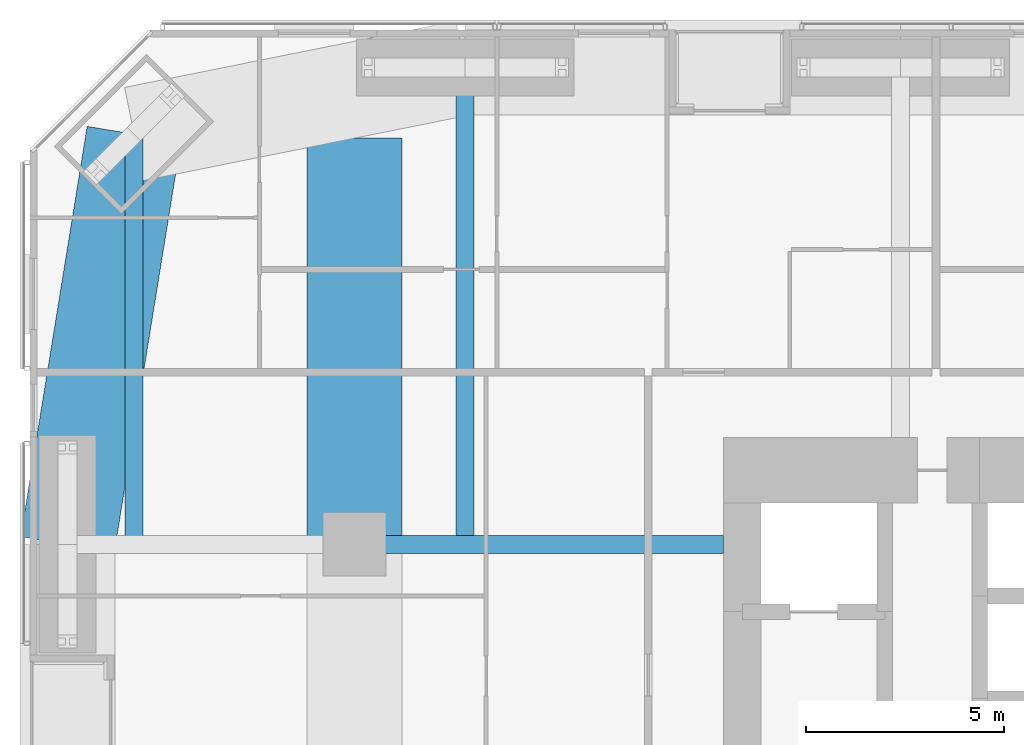
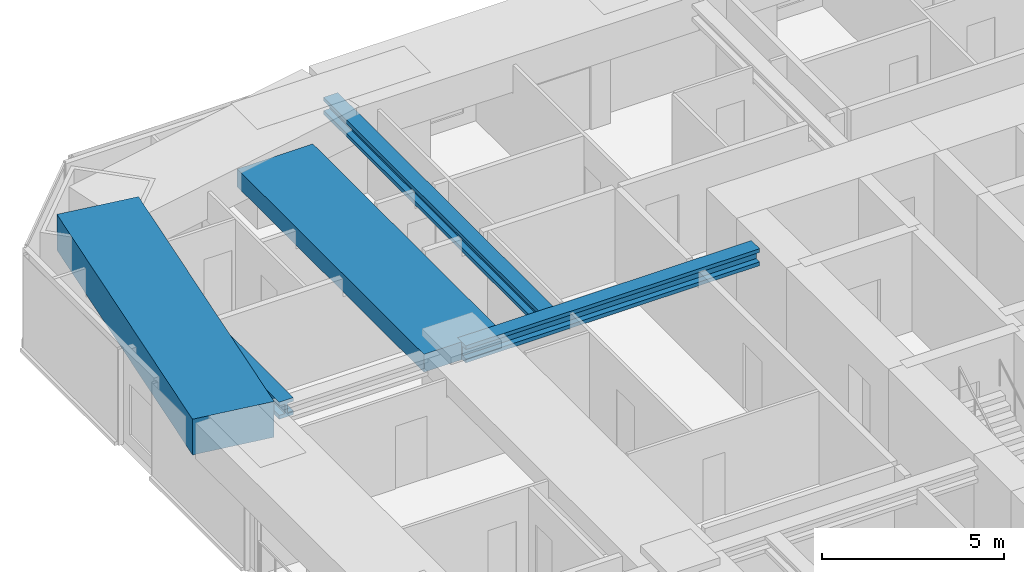
# One storey, part 6 of 22: 5 beams.
"""IFC4 building model written with IfcOpenShell, lengths in metres."""

from ifc_helpers import new_model, si_unit, direction, frame, origin, origin_2d, place, context, subcontext, project, spatial, rectangle, i_section, extrude, material, material_profile, profile_set, type_object, element, save


model = new_model("IFC4")

# Units and contexts
model_context = context("Model", 3, precision=1e-05, world=origin(), true_north=direction((0.0, 1.0)))
body_context = subcontext(model_context, "Body", "Model", "MODEL_VIEW")
ifc_project = project(units=[si_unit("LENGTHUNIT", "METRE"), si_unit("AREAUNIT", "SQUARE_METRE"), si_unit("VOLUMEUNIT", "CUBIC_METRE"), si_unit("PLANEANGLEUNIT", "RADIAN"), si_unit("MASSUNIT", "GRAM", prefix="KILO")], contexts=[model_context])

# Site, building, storey
site_placement = place(None, origin())
site = spatial("IfcSite", under=ifc_project, at=site_placement, CompositionType="ELEMENT")
building_placement = place(site_placement, origin())
building = spatial("IfcBuilding", under=site, at=building_placement, Name="Jalousie Tower", CompositionType="ELEMENT")
storey_placement = place(building_placement, frame((0.0, 0.0, 67.89990234375)))
storey = spatial("IfcBuildingStorey", under=building, at=storey_placement, Name="L18", CompositionType="ELEMENT", Elevation=67.89990234375)

# Beams
ifc_material_1 = material(Name="Steel ASTM A992 Grade 50", Category="steel")
ifc_material_profile_1 = material_profile(ifc_material_1, i_section(OverallWidth=0.45458984375, OverallDepth=0.569091796875, WebThickness=0.077880859375, FlangeThickness=0.124755859375, at=origin_2d()), Name="W14X730")
ifc_profile_set_1 = profile_set([ifc_material_profile_1], Name="Steel ASTM A992 Grade 50")
beam_type_1 = type_object("IfcBeamType", Name="LEAN COLLECTOR W14X730", PredefinedType="BEAM", material=ifc_profile_set_1)
beam_1_placement = place(storey_placement, frame((10.199951171875, 25.0, 2.82568359375), z_axis=(1.0, 0.0, 0.0), x_axis=(0.0, 1.0, 0.0)))
element("IfcBeam", 1, at=beam_1_placement, inside=storey, type_object=beam_type_1, Name="Lean collector under L19", PredefinedType="BEAM", context=body_context, shape_type="SweptSolid", body=[
    extrude(i_section(OverallWidth=0.45458984375, OverallDepth=0.569091796875, WebThickness=0.077880859375, FlangeThickness=0.124755859375, at=origin_2d()), origin(), (0.0, 0.0, 1.0), 9.324951171875),
])
beam_2_placement = place(storey_placement, frame((4.63134765625, 35.36865234375, 2.82568359375), z_axis=(0.0, -1.0, 0.0), x_axis=(1.0, 0.0, 0.0)))
element("IfcBeam", 2, at=beam_2_placement, inside=storey, type_object=beam_type_1, Name="Lean collector under L19", PredefinedType="BEAM", context=body_context, shape_type="SweptSolid", body=[
    extrude(i_section(OverallWidth=0.45458984375, OverallDepth=0.569091796875, WebThickness=0.077880859375, FlangeThickness=0.124755859375, at=origin_2d()), origin(), (0.0, 0.0, 1.0), 10.36865234375),
])
beam_3_placement = place(storey_placement, frame((13.0, 37.050048828125, 2.82568359375), z_axis=(0.0, -1.0, 0.0), x_axis=(1.0, 0.0, 0.0)))
element("IfcBeam", 3, at=beam_3_placement, inside=storey, type_object=beam_type_1, Name="Lean collector under L19", PredefinedType="BEAM", context=body_context, shape_type="SweptSolid", body=[
    extrude(i_section(OverallWidth=0.45458984375, OverallDepth=0.569091796875, WebThickness=0.077880859375, FlangeThickness=0.124755859375, at=origin_2d()), origin(), (0.0, 0.0, 1.0), 12.050048828125),
])
ifc_material_2 = material(Name="Concrete f'c 40 MPa", Category="concrete")
ifc_material_profile_2 = material_profile(ifc_material_2, rectangle(XDim=2.39990234375, YDim=1.199951171875, at=origin_2d()), Name="RC 2400x1200")
ifc_profile_set_2 = profile_set([ifc_material_profile_2], Name="Concrete f'c 40 MPa")
beam_type_2 = type_object("IfcBeamType", Name="RC BEAM 2400x1200", PredefinedType="BEAM", material=ifc_profile_set_2)
beam_4_placement = place(storey_placement, frame((4.63134765625, 35.36865234375, 2.75), z_axis=(-0.160070546476, -0.987105577003, 0.0), x_axis=(0.987105577003, -0.160070546476, 0.0)))
element("IfcBeam", 4, at=beam_4_placement, inside=storey, type_object=beam_type_2, Name="Edge band beam 12-13 under L19", PredefinedType="BEAM", context=body_context, shape_type="SweptSolid", body=[
    extrude(rectangle(XDim=2.39990234375, YDim=1.199951171875, at=origin_2d()), origin(), (0.0, 0.0, 1.0), 10.504150390625),
])
ifc_material_3 = material(Name="Concrete f'c 40 MPa", Category="concrete")
ifc_material_profile_3 = material_profile(ifc_material_3, rectangle(XDim=2.39990234375, YDim=0.60009765625, at=origin_2d()), Name="RC 2400x600")
ifc_profile_set_3 = profile_set([ifc_material_profile_3], Name="Concrete f'c 40 MPa")
beam_type_3 = type_object("IfcBeamType", Name="RC BEAM 2400x600", PredefinedType="BEAM", material=ifc_profile_set_3)
beam_5_placement = place(storey_placement, frame((10.199951171875, 25.0, 2.81005859375), z_axis=(0.0, 1.0, 0.0), x_axis=(-1.0, 0.0, 0.0)))
element("IfcBeam", 5, at=beam_5_placement, inside=storey, type_object=beam_type_3, Name="Floor band beam under L19", PredefinedType="BEAM", context=body_context, shape_type="SweptSolid", body=[
    extrude(rectangle(XDim=2.39990234375, YDim=0.60009765625, at=origin_2d()), origin(), (0.0, 0.0, 1.0), 10.263427734375),
])

save(model, "model.ifc")
